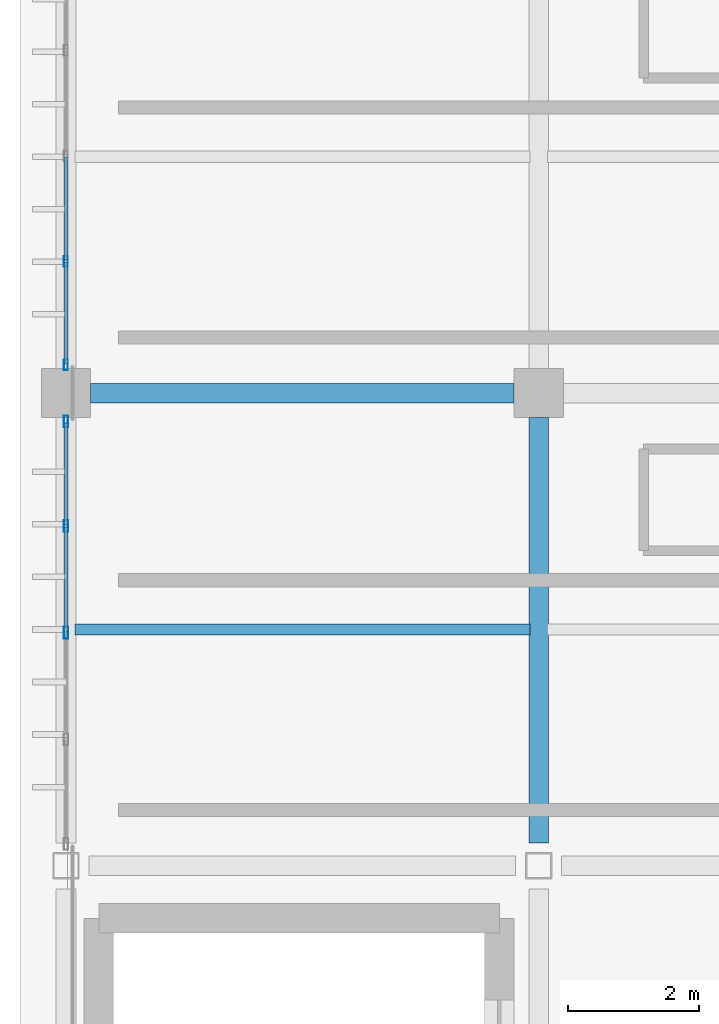
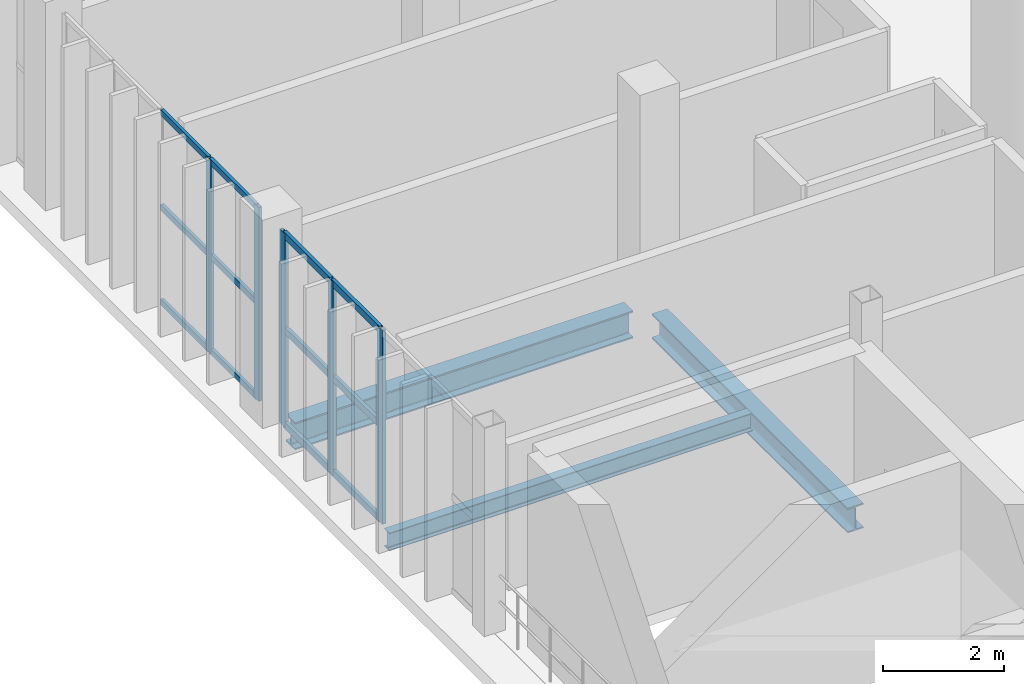
# One storey, part 54 of 130: 17 members, 3 beams, 2 elements without a shape of their own.
"""IFC4 building model written with IfcOpenShell, lengths in metres."""

from ifc_helpers import new_model, si_unit, direction, frame, origin, origin_2d, place, context, subcontext, project, spatial, hollow_rectangle, i_section, extrude, material, material_profile, profile_set, type_object, element, aggregate, save


model = new_model("IFC4")

# Units and contexts
model_context = context("Model", 3, precision=1e-05, world=origin(), true_north=direction((0.0, 1.0)))
body_context = subcontext(model_context, "Body", "Model", "MODEL_VIEW")
ifc_project = project(units=[si_unit("LENGTHUNIT", "METRE"), si_unit("AREAUNIT", "SQUARE_METRE"), si_unit("VOLUMEUNIT", "CUBIC_METRE"), si_unit("PLANEANGLEUNIT", "RADIAN"), si_unit("MASSUNIT", "GRAM", prefix="KILO")], contexts=[model_context])

# Site, building, storey
site_placement = place(None, origin())
site = spatial("IfcSite", under=ifc_project, at=site_placement, CompositionType="ELEMENT")
building_placement = place(site_placement, origin())
building = spatial("IfcBuilding", under=site, at=building_placement, Name="Qandorah Velis Arena", CompositionType="ELEMENT")
storey_placement = place(building_placement, frame((0.0, 0.0, 9.60009765625)))
storey = spatial("IfcBuildingStorey", under=building, at=storey_placement, Name="L02", CompositionType="ELEMENT", Elevation=9.60009765625)

# Curtain wall, members
ifc_material_1 = material(Name="Solar-control low-E double glazing", Category="glass")
curtain_wall_type_1 = type_object("IfcCurtainWallType", Name="ARC-CW-SYS19", PredefinedType="USERDEFINED", material=ifc_material_1)
curtain_wall_1_placement = place(storey_placement, origin())
curtain_wall_1 = element("IfcCurtainWall", 1, at=curtain_wall_1_placement, inside=storey, type_object=curtain_wall_type_1, Name="Unitised curtain wall L02-019", ObjectType="UNITISED CURTAIN WALL", PredefinedType="USERDEFINED")
ifc_material_2 = material(Name="Champagne-bronze anodized aluminium 6063-T6", Category="aluminium")
ifc_material_profile_1 = material_profile(ifc_material_2, hollow_rectangle(XDim=0.06005859375, YDim=0.159912109375, WallThickness=0.00341796875, at=origin_2d()), Name="ALU MULLION 60x160")
ifc_profile_set_1 = profile_set([ifc_material_profile_1], Name="Champagne-bronze anodized aluminium 6063-T6")
member_type_1 = type_object("IfcMemberType", Name="ARC-CWM-160", PredefinedType="MULLION", material=ifc_profile_set_1)
member_1_placement = place(storey_placement, frame((0.0, 101.22998046875, -0.01513671875), z_axis=(0.0, 0.0, 1.0), x_axis=(-1.0, 0.0, 0.0)))
member_1 = element("IfcMember", 2, at=member_1_placement, type_object=member_type_1, Name="CW19 mullion 1", PredefinedType="MULLION", context=body_context, shape_type="SweptSolid", body=[
    extrude(hollow_rectangle(XDim=0.06005859375, YDim=0.159912109375, WallThickness=0.00341796875, at=origin_2d()), origin(), (0.0, 0.0, 1.0), 3.91015625),
])
member_2_placement = place(storey_placement, frame((0.0, 102.80615234375, -0.01513671875), z_axis=(0.0, 0.0, 1.0), x_axis=(-1.0, 0.0, 0.0)))
member_2 = element("IfcMember", 3, at=member_2_placement, type_object=member_type_1, Name="CW19 mullion 2", PredefinedType="MULLION", context=body_context, shape_type="SweptSolid", body=[
    extrude(hollow_rectangle(XDim=0.06005859375, YDim=0.159912109375, WallThickness=0.00341796875, at=origin_2d()), origin(), (0.0, 0.0, 1.0), 3.91015625),
])

curtain_wall_type_2 = type_object("IfcCurtainWallType", Name="ARC-CW-SYS18", PredefinedType="USERDEFINED", material=ifc_material_1)
curtain_wall_2_placement = place(storey_placement, origin())
curtain_wall_2 = element("IfcCurtainWall", 4, at=curtain_wall_2_placement, inside=storey, type_object=curtain_wall_type_2, Name="Unitised curtain wall L02-018", ObjectType="UNITISED CURTAIN WALL", PredefinedType="USERDEFINED")
ifc_material_profile_2 = material_profile(ifc_material_2, hollow_rectangle(XDim=0.06494140625, YDim=0.179931640625, WallThickness=0.00341796875, at=origin_2d()), Name="ALU MULLION 65x180")
ifc_profile_set_2 = profile_set([ifc_material_profile_2], Name="Champagne-bronze anodized aluminium 6063-T6")
member_type_2 = type_object("IfcMemberType", Name="ARC-CWM-180", PredefinedType="MULLION", material=ifc_profile_set_2)
member_3_placement = place(storey_placement, frame((0.0, 97.14990234375, -0.01513671875), z_axis=(0.0, 0.0, 1.0), x_axis=(-1.0, 0.0, 0.0)))
member_3 = element("IfcMember", 5, at=member_3_placement, type_object=member_type_2, Name="CW18 mullion 3", PredefinedType="MULLION", context=body_context, shape_type="SweptSolid", body=[
    extrude(hollow_rectangle(XDim=0.06494140625, YDim=0.179931640625, WallThickness=0.00341796875, at=origin_2d()), origin(), (0.0, 0.0, 1.0), 3.91015625),
])
member_4_placement = place(storey_placement, frame((0.0, 98.77490234375, -0.01513671875), z_axis=(0.0, 0.0, 1.0), x_axis=(-1.0, 0.0, 0.0)))
member_4 = element("IfcMember", 6, at=member_4_placement, type_object=member_type_2, Name="CW18 mullion 4", PredefinedType="MULLION", context=body_context, shape_type="SweptSolid", body=[
    extrude(hollow_rectangle(XDim=0.06494140625, YDim=0.179931640625, WallThickness=0.00341796875, at=origin_2d()), origin(), (0.0, 0.0, 1.0), 3.91015625),
])
member_5_placement = place(storey_placement, frame((0.0, 100.367431640625, -0.01513671875), z_axis=(0.0, 0.0, 1.0), x_axis=(-1.0, 0.0, 0.0)))
member_5 = element("IfcMember", 7, at=member_5_placement, type_object=member_type_2, Name="CW18 mullion 5", PredefinedType="MULLION", context=body_context, shape_type="SweptSolid", body=[
    extrude(hollow_rectangle(XDim=0.06494140625, YDim=0.179931640625, WallThickness=0.00341796875, at=origin_2d()), origin(), (0.0, 0.0, 1.0), 3.91015625),
])

# Member
ifc_material_profile_3 = material_profile(ifc_material_2, hollow_rectangle(XDim=0.06005859375, YDim=0.1201171875, WallThickness=0.0029296875, at=origin_2d()), Name="ALU TRANSOM 60x120")
ifc_profile_set_3 = profile_set([ifc_material_profile_3], Name="Champagne-bronze anodized aluminium 6063-T6")
member_type_3 = type_object("IfcMemberType", Name="ARC-CWT-120", PredefinedType="USERDEFINED", material=ifc_profile_set_3)
member_6_placement = place(storey_placement, frame((0.0, 101.248046875, 0.02978515625), z_axis=(0.0, 1.0, 0.0), x_axis=(-1.0, 0.0, 0.0)))
member_6 = element("IfcMember", 8, at=member_6_placement, type_object=member_type_3, Name="CW19 transom 1.1", ObjectType="TRANSOM", PredefinedType="USERDEFINED", context=body_context, shape_type="SweptSolid", body=[
    extrude(hollow_rectangle(XDim=0.06005859375, YDim=0.1201171875, WallThickness=0.0029296875, at=origin_2d()), origin(), (0.0, 0.0, 1.0), 1.540283203125),
])

member_7_placement = place(storey_placement, frame((0.0, 101.248046875, 1.93994140625), z_axis=(0.0, 1.0, 0.0), x_axis=(-1.0, 0.0, 0.0)))
member_7 = element("IfcMember", 9, at=member_7_placement, type_object=member_type_3, Name="CW19 transom 1.2", ObjectType="TRANSOM", PredefinedType="USERDEFINED", context=body_context, shape_type="SweptSolid", body=[
    extrude(hollow_rectangle(XDim=0.06005859375, YDim=0.1201171875, WallThickness=0.0029296875, at=origin_2d()), origin(), (0.0, 0.0, 1.0), 1.540283203125),
])

member_8_placement = place(storey_placement, frame((0.0, 101.248046875, 3.849853515625), z_axis=(0.0, 1.0, 0.0), x_axis=(-1.0, 0.0, 0.0)))
member_8 = element("IfcMember", 10, at=member_8_placement, type_object=member_type_3, Name="CW19 transom 1.3", ObjectType="TRANSOM", PredefinedType="USERDEFINED", context=body_context, shape_type="SweptSolid", body=[
    extrude(hollow_rectangle(XDim=0.06005859375, YDim=0.1201171875, WallThickness=0.0029296875, at=origin_2d()), origin(), (0.0, 0.0, 1.0), 1.540283203125),
])

member_9_placement = place(storey_placement, frame((0.0, 102.82421875, 0.02978515625), z_axis=(0.0, 1.0, 0.0), x_axis=(-1.0, 0.0, 0.0)))
member_9 = element("IfcMember", 11, at=member_9_placement, type_object=member_type_3, Name="CW19 transom 2.1", ObjectType="TRANSOM", PredefinedType="USERDEFINED", context=body_context, shape_type="SweptSolid", body=[
    extrude(hollow_rectangle(XDim=0.06005859375, YDim=0.1201171875, WallThickness=0.0029296875, at=origin_2d()), origin(), (0.0, 0.0, 1.0), 1.5703125),
])

member_10_placement = place(storey_placement, frame((0.0, 102.82421875, 1.93994140625), z_axis=(0.0, 1.0, 0.0), x_axis=(-1.0, 0.0, 0.0)))
member_10 = element("IfcMember", 12, at=member_10_placement, type_object=member_type_3, Name="CW19 transom 2.2", ObjectType="TRANSOM", PredefinedType="USERDEFINED", context=body_context, shape_type="SweptSolid", body=[
    extrude(hollow_rectangle(XDim=0.06005859375, YDim=0.1201171875, WallThickness=0.0029296875, at=origin_2d()), origin(), (0.0, 0.0, 1.0), 1.5703125),
])

member_11_placement = place(storey_placement, frame((0.0, 102.82421875, 3.849853515625), z_axis=(0.0, 1.0, 0.0), x_axis=(-1.0, 0.0, 0.0)))
member_11 = element("IfcMember", 13, at=member_11_placement, type_object=member_type_3, Name="CW19 transom 2.3", ObjectType="TRANSOM", PredefinedType="USERDEFINED", context=body_context, shape_type="SweptSolid", body=[
    extrude(hollow_rectangle(XDim=0.06005859375, YDim=0.1201171875, WallThickness=0.0029296875, at=origin_2d()), origin(), (0.0, 0.0, 1.0), 1.5703125),
])

aggregate(curtain_wall_1, [member_1, member_2, member_6, member_7, member_8, member_9, member_10, member_11])

ifc_material_profile_4 = material_profile(ifc_material_2, hollow_rectangle(XDim=0.06494140625, YDim=0.139892578125, WallThickness=0.0029296875, at=origin_2d()), Name="ALU TRANSOM 65x140")
ifc_profile_set_4 = profile_set([ifc_material_profile_4], Name="Champagne-bronze anodized aluminium 6063-T6")
member_type_4 = type_object("IfcMemberType", Name="ARC-CWT-140", PredefinedType="USERDEFINED", material=ifc_profile_set_4)
member_12_placement = place(storey_placement, frame((0.0, 97.17041015625, 0.032470703125), z_axis=(0.0, 1.0, 0.0), x_axis=(-1.0, 0.0, 0.0)))
member_12 = element("IfcMember", 14, at=member_12_placement, type_object=member_type_4, Name="CW18 transom 3.1", ObjectType="TRANSOM", PredefinedType="USERDEFINED", context=body_context, shape_type="SweptSolid", body=[
    extrude(hollow_rectangle(XDim=0.06494140625, YDim=0.139892578125, WallThickness=0.0029296875, at=origin_2d()), origin(), (0.0, 0.0, 1.0), 1.583984375),
])

member_13_placement = place(storey_placement, frame((0.0, 97.17041015625, 1.93994140625), z_axis=(0.0, 1.0, 0.0), x_axis=(-1.0, 0.0, 0.0)))
member_13 = element("IfcMember", 15, at=member_13_placement, type_object=member_type_4, Name="CW18 transom 3.2", ObjectType="TRANSOM", PredefinedType="USERDEFINED", context=body_context, shape_type="SweptSolid", body=[
    extrude(hollow_rectangle(XDim=0.06494140625, YDim=0.139892578125, WallThickness=0.0029296875, at=origin_2d()), origin(), (0.0, 0.0, 1.0), 1.583984375),
])

member_14_placement = place(storey_placement, frame((0.0, 97.17041015625, 3.847412109375), z_axis=(0.0, 1.0, 0.0), x_axis=(-1.0, 0.0, 0.0)))
member_14 = element("IfcMember", 16, at=member_14_placement, type_object=member_type_4, Name="CW18 transom 3.3", ObjectType="TRANSOM", PredefinedType="USERDEFINED", context=body_context, shape_type="SweptSolid", body=[
    extrude(hollow_rectangle(XDim=0.06494140625, YDim=0.139892578125, WallThickness=0.0029296875, at=origin_2d()), origin(), (0.0, 0.0, 1.0), 1.583984375),
])

member_15_placement = place(storey_placement, frame((0.0, 98.79541015625, 0.032470703125), z_axis=(0.0, 1.0, 0.0), x_axis=(-1.0, 0.0, 0.0)))
member_15 = element("IfcMember", 17, at=member_15_placement, type_object=member_type_4, Name="CW18 transom 4.1", ObjectType="TRANSOM", PredefinedType="USERDEFINED", context=body_context, shape_type="SweptSolid", body=[
    extrude(hollow_rectangle(XDim=0.06494140625, YDim=0.139892578125, WallThickness=0.0029296875, at=origin_2d()), origin(), (0.0, 0.0, 1.0), 1.551513671875),
])

member_16_placement = place(storey_placement, frame((0.0, 98.79541015625, 1.93994140625), z_axis=(0.0, 1.0, 0.0), x_axis=(-1.0, 0.0, 0.0)))
member_16 = element("IfcMember", 18, at=member_16_placement, type_object=member_type_4, Name="CW18 transom 4.2", ObjectType="TRANSOM", PredefinedType="USERDEFINED", context=body_context, shape_type="SweptSolid", body=[
    extrude(hollow_rectangle(XDim=0.06494140625, YDim=0.139892578125, WallThickness=0.0029296875, at=origin_2d()), origin(), (0.0, 0.0, 1.0), 1.551513671875),
])

member_17_placement = place(storey_placement, frame((0.0, 98.79541015625, 3.847412109375), z_axis=(0.0, 1.0, 0.0), x_axis=(-1.0, 0.0, 0.0)))
member_17 = element("IfcMember", 19, at=member_17_placement, type_object=member_type_4, Name="CW18 transom 4.3", ObjectType="TRANSOM", PredefinedType="USERDEFINED", context=body_context, shape_type="SweptSolid", body=[
    extrude(hollow_rectangle(XDim=0.06494140625, YDim=0.139892578125, WallThickness=0.0029296875, at=origin_2d()), origin(), (0.0, 0.0, 1.0), 1.551513671875),
])

aggregate(curtain_wall_2, [member_3, member_4, member_5, member_12, member_13, member_14, member_15, member_16, member_17])

# Beams
ifc_material_3 = material(Name="Steel S355", Category="steel")
ifc_material_profile_5 = material_profile(ifc_material_3, i_section(OverallWidth=0.300048828125, OverallDepth=0.5, WebThickness=0.014404296875, FlangeThickness=0.028076171875, FilletRadius=0.027099609375, at=origin_2d()), Name="HEB 500")
ifc_profile_set_5 = profile_set([ifc_material_profile_5], Name="Steel S355")
beam_type_1 = type_object("IfcBeamType", Name="STR-BM-HEB500", PredefinedType="BEAM", material=ifc_profile_set_5)
beam_1_placement = place(storey_placement, frame((7.199951171875, 93.949951171875, -0.530029296875), z_axis=(0.0, 1.0, 0.0), x_axis=(-1.0, 0.0, 0.0)))
element("IfcBeam", 20, at=beam_1_placement, inside=storey, type_object=beam_type_1, Name="Primary floor girder L02 Y-209", PredefinedType="BEAM", context=body_context, shape_type="SweptSolid", body=[
    extrude(i_section(OverallWidth=0.300048828125, OverallDepth=0.5, WebThickness=0.014404296875, FlangeThickness=0.028076171875, FilletRadius=0.027099609375, at=origin_2d()), origin(), (0.0, 0.0, 1.0), 6.47509765625),
])
ifc_material_profile_6 = material_profile(ifc_material_3, i_section(OverallWidth=0.300048828125, OverallDepth=0.550048828125, WebThickness=0.014892578125, FlangeThickness=0.029052734375, FilletRadius=0.027099609375, at=origin_2d()), Name="HEB 550")
ifc_profile_set_6 = profile_set([ifc_material_profile_6], Name="Steel S355")
beam_type_2 = type_object("IfcBeamType", Name="STR-BM-HEB550", PredefinedType="BEAM", material=ifc_profile_set_6)
beam_2_placement = place(storey_placement, frame((0.375, 100.800048828125, -0.55517578125), z_axis=(1.0, 0.0, 0.0), x_axis=(0.0, 1.0, 0.0)))
element("IfcBeam", 21, at=beam_2_placement, inside=storey, type_object=beam_type_2, Name="Primary floor girder L02 X-122", PredefinedType="BEAM", context=body_context, shape_type="SweptSolid", body=[
    extrude(i_section(OverallWidth=0.300048828125, OverallDepth=0.550048828125, WebThickness=0.014892578125, FlangeThickness=0.029052734375, FilletRadius=0.027099609375, at=origin_2d()), origin(), (0.0, 0.0, 1.0), 6.449951171875),
])
ifc_material_profile_7 = material_profile(ifc_material_3, i_section(OverallWidth=0.169921875, OverallDepth=0.360107421875, WebThickness=0.008056640625, FlangeThickness=0.0126953125, FilletRadius=0.01806640625, at=origin_2d()), Name="IPE 360")
ifc_profile_set_7 = profile_set([ifc_material_profile_7], Name="Steel S355")
beam_type_3 = type_object("IfcBeamType", Name="STR-JST-IPE360", PredefinedType="JOIST", material=ifc_profile_set_7)
beam_3_placement = place(storey_placement, frame((0.135009765625, 97.199951171875, -0.460205078125), z_axis=(1.0, 0.0, 0.0), x_axis=(0.0, 1.0, 0.0)))
element("IfcBeam", 22, at=beam_3_placement, inside=storey, type_object=beam_type_3, Name="Secondary floor joist L02-008", PredefinedType="JOIST", context=body_context, shape_type="SweptSolid", body=[
    extrude(i_section(OverallWidth=0.169921875, OverallDepth=0.360107421875, WebThickness=0.008056640625, FlangeThickness=0.0126953125, FilletRadius=0.01806640625, at=origin_2d()), origin(), (0.0, 0.0, 1.0), 6.929931640625),
])

save(model, "model.ifc")
